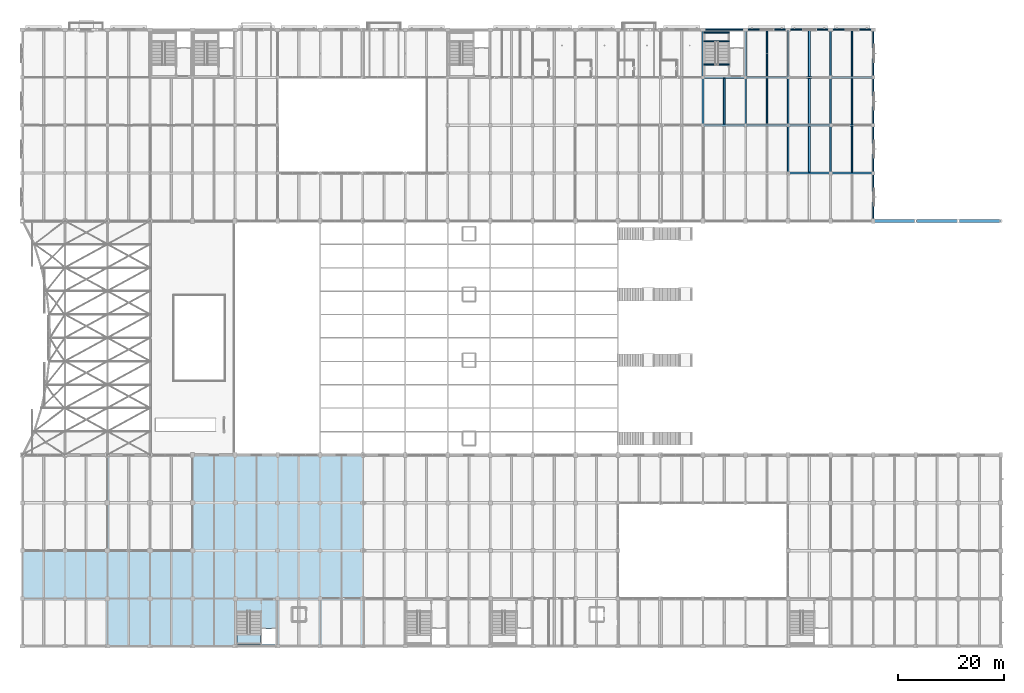
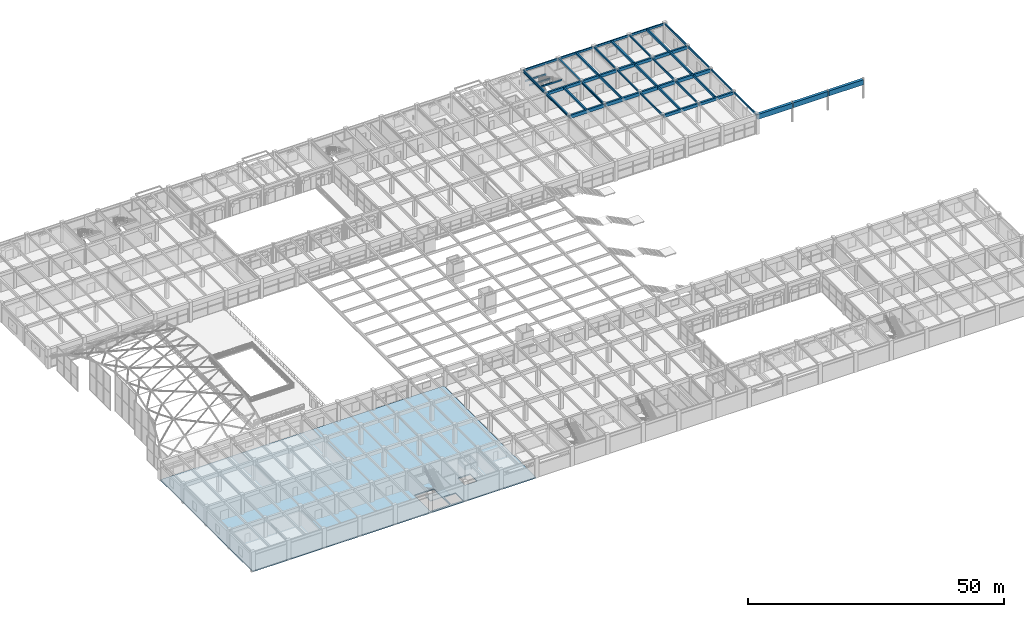
# One storey, part 91 of 144: 43 beams, 2 slabs, 1 element without a shape of its own.
"""IFC4 building model written with IfcOpenShell, lengths in metres."""

from ifc_helpers import new_model, si_unit, direction, frame, origin, origin_2d, place, context, subcontext, project, spatial, polyline, rectangle, i_section, outline, extrude, material, layer, layer_set, material_profile, profile_set, type_object, element, aggregate, save


model = new_model("IFC4")

# Units and contexts
model_context = context("Model", 3, precision=1e-05, world=origin(), true_north=direction((0.0, 1.0)))
body_context = subcontext(model_context, "Body", "Model", "MODEL_VIEW")
ifc_project = project(units=[si_unit("LENGTHUNIT", "METRE"), si_unit("AREAUNIT", "SQUARE_METRE"), si_unit("VOLUMEUNIT", "CUBIC_METRE"), si_unit("PLANEANGLEUNIT", "RADIAN"), si_unit("MASSUNIT", "GRAM", prefix="KILO")], contexts=[model_context])

# Site, building, storey
site_placement = place(None, origin())
site = spatial("IfcSite", under=ifc_project, at=site_placement, CompositionType="ELEMENT")
building_placement = place(site_placement, origin())
building = spatial("IfcBuilding", under=site, at=building_placement, Name="Varnabhumi Central Station", CompositionType="ELEMENT")
storey_placement = place(building_placement, frame((0.0, 0.0, 4.800048828125)))
storey = spatial("IfcBuildingStorey", under=building, at=storey_placement, Name="L01", CompositionType="ELEMENT", Elevation=4.800048828125)

# Beams
ifc_material_1 = material(Name="Concrete M50", Category="concrete")
ifc_material_profile_1 = material_profile(ifc_material_1, rectangle(XDim=0.60009765625, YDim=1.199951171875, at=origin_2d()), Name="Concrete M50", Category="concrete")
ifc_profile_set_1 = profile_set([ifc_material_profile_1], Name="Concrete M50")
beam_type_1 = type_object("IfcBeamType", Name="BM-RC-1200x600", PredefinedType="BEAM", material=ifc_profile_set_1)
for number, where, z_axis, x_axis, name in (
    (1, (160.10009765625, 80.0, 3.949951171875), (1.0, 0.0, 0.0), (0.0, 1.0, 0.0), "Beam L01-K:21-22"),
    (2, (168.10009765625, 80.0, 3.949951171875), (1.0, 0.0, 0.0), (0.0, 1.0, 0.0), "Beam L01-K:22-23"),
    (3, (176.10009765625, 80.0, 3.949951171875), (1.0, 0.0, 0.0), (0.0, 1.0, 0.0), "Beam L01-K:23-24"),
):
    element("IfcBeam", number, at=place(storey_placement, frame(where, z_axis=z_axis, x_axis=x_axis)), inside=storey, type_object=beam_type_1, Name=name, PredefinedType="BEAM", context=body_context, shape_type="SweptSolid", body=[
        extrude(rectangle(XDim=0.60009765625, YDim=1.199951171875, at=origin_2d()), origin(), (0.0, 0.0, 1.0), 7.7998046875),
    ])
ifc_material_2 = material(Name="Concrete M35", Category="concrete")
ifc_material_profile_2 = material_profile(ifc_material_2, rectangle(XDim=0.25, YDim=0.35009765625, at=origin_2d()), Name="Concrete M35", Category="concrete")
ifc_profile_set_2 = profile_set([ifc_material_profile_2], Name="Concrete M35")
beam_type_2 = type_object("IfcBeamType", Name="BM-RC-250x350", PredefinedType="LINTEL", material=ifc_profile_set_2)
for number, where, z_axis, x_axis, name in (
    (4, (128.179931640625, 113.794921875, 2.044921875), (1.0, 0.0, 0.0), (0.0, 1.0, 0.0), "ST-N3 L01 Half Landing Support Beam 1"),
    (5, (128.179931640625, 115.4599609375, 2.044921875), (1.0, 0.0, 0.0), (0.0, 1.0, 0.0), "ST-N3 L01 Half Landing Support Beam 2"),
    (6, (128.179931640625, 109.419921875, 4.375), (1.0, 0.0, 0.0), (0.0, 1.0, 0.0), "ST-N3 L01 Floor Opening Trimmer Beam"),
):
    element("IfcBeam", number, at=place(storey_placement, frame(where, z_axis=z_axis, x_axis=x_axis)), inside=storey, type_object=beam_type_2, Name=name, PredefinedType="LINTEL", context=body_context, shape_type="SweptSolid", body=[
        extrude(rectangle(XDim=0.25, YDim=0.35009765625, at=origin_2d()), origin(), (0.0, 0.0, 1.0), 4.719970703125),
    ])
ifc_material_profile_3 = material_profile(ifc_material_2, rectangle(XDim=0.25, YDim=0.39990234375, at=origin_2d()), Name="Concrete M35", Category="concrete")
ifc_profile_set_3 = profile_set([ifc_material_profile_3], Name="Concrete M35")
beam_type_3 = type_object("IfcBeamType", Name="BM-RC-250x400", PredefinedType="LINTEL", material=ifc_profile_set_3)
for number, where, z_axis, x_axis, name in (
    (7, (160.0, 80.10009765625, 4.349853515625), (0.0, 1.0, 0.0), (-1.0, 0.0, 0.0), "Beam L01-21:K-L"),
    (8, (144.0, 89.10009765625, 4.349853515625), (0.0, 1.0, 0.0), (-1.0, 0.0, 0.0), "Beam L01-19:L-M"),
    (9, (152.0, 89.10009765625, 4.349853515625), (0.0, 1.0, 0.0), (-1.0, 0.0, 0.0), "Beam L01-20:L-M"),
    (10, (160.0, 89.10009765625, 4.349853515625), (0.0, 1.0, 0.0), (-1.0, 0.0, 0.0), "Beam L01-21:L-M"),
    (11, (144.0, 98.10009765625, 4.349853515625), (0.0, 1.0, 0.0), (-1.0, 0.0, 0.0), "Beam L01-19:M-N"),
    (12, (152.0, 98.10009765625, 4.349853515625), (0.0, 1.0, 0.0), (-1.0, 0.0, 0.0), "Beam L01-20:M-N"),
    (13, (160.0, 98.10009765625, 4.349853515625), (0.0, 1.0, 0.0), (-1.0, 0.0, 0.0), "Beam L01-21:M-N"),
    (14, (144.0, 107.10009765625, 4.349853515625), (0.0, 1.0, 0.0), (-1.0, 0.0, 0.0), "Beam L01-19:N-P"),
    (15, (152.0, 107.10009765625, 4.349853515625), (0.0, 1.0, 0.0), (-1.0, 0.0, 0.0), "Beam L01-20:N-P"),
    (16, (160.0, 107.10009765625, 4.349853515625), (0.0, 1.0, 0.0), (-1.0, 0.0, 0.0), "Beam L01-21:N-P"),
):
    element("IfcBeam", number, at=place(storey_placement, frame(where, z_axis=z_axis, x_axis=x_axis)), inside=storey, type_object=beam_type_3, Name=name, PredefinedType="LINTEL", context=body_context, shape_type="SweptSolid", body=[
        extrude(rectangle(XDim=0.25, YDim=0.39990234375, at=origin_2d()), origin(), (0.0, 0.0, 1.0), 8.7998046875),
    ])
ifc_material_3 = material(Name="Concrete M40", Category="concrete")
ifc_material_profile_4 = material_profile(ifc_material_3, rectangle(XDim=0.25, YDim=0.5, at=origin_2d()), Name="Concrete M40", Category="concrete")
ifc_profile_set_4 = profile_set([ifc_material_profile_4], Name="Concrete M40")
beam_type_4 = type_object("IfcBeamType", Name="BM-RC-250x500", PredefinedType="SPANDREL", material=ifc_profile_set_4)
for number, where, z_axis, x_axis, name in (
    (17, (128.10009765625, 116.0, 4.300048828125), (1.0, 0.0, 0.0), (0.0, 1.0, 0.0), "Beam L01-P:17-18"),
    (18, (136.10009765625, 116.0, 4.300048828125), (1.0, 0.0, 0.0), (0.0, 1.0, 0.0), "Beam L01-P:18-19"),
    (19, (144.10009765625, 116.0, 4.300048828125), (1.0, 0.0, 0.0), (0.0, 1.0, 0.0), "Beam L01-P:19-20"),
    (20, (152.10009765625, 116.0, 4.300048828125), (1.0, 0.0, 0.0), (0.0, 1.0, 0.0), "Beam L01-P:20-21"),
):
    element("IfcBeam", number, at=place(storey_placement, frame(where, z_axis=z_axis, x_axis=x_axis)), inside=storey, type_object=beam_type_4, Name=name, PredefinedType="SPANDREL", context=body_context, shape_type="SweptSolid", body=[
        extrude(rectangle(XDim=0.25, YDim=0.5, at=origin_2d()), origin(), (0.0, 0.0, 1.0), 7.7998046875),
    ])
ifc_material_profile_5 = material_profile(ifc_material_3, rectangle(XDim=0.300048828125, YDim=0.5, at=origin_2d()), Name="Concrete M40", Category="concrete")
ifc_profile_set_5 = profile_set([ifc_material_profile_5], Name="Concrete M40")
beam_type_5 = type_object("IfcBeamType", Name="BM-RC-300x500", PredefinedType="JOIST", material=ifc_profile_set_5)
beam_1_placement = place(storey_placement, frame((140.0, 98.199951171875, 4.300048828125), z_axis=(0.0, 1.0, 0.0), x_axis=(-1.0, 0.0, 0.0)))
element("IfcBeam", 21, at=beam_1_placement, inside=storey, type_object=beam_type_5, Name="Secondary Joist L01-18/19:M-N", PredefinedType="JOIST", context=body_context, shape_type="SweptSolid", body=[
    extrude(rectangle(XDim=0.300048828125, YDim=0.5, at=origin_2d()), origin(), (0.0, 0.0, 1.0), 8.60009765625),
])
beam_2_placement = place(storey_placement, frame((140.0, 107.199951171875, 4.300048828125), z_axis=(0.0, 1.0, 0.0), x_axis=(-1.0, 0.0, 0.0)))
element("IfcBeam", 22, at=beam_2_placement, inside=storey, type_object=beam_type_5, Name="Secondary Joist L01-18/19:N-P", PredefinedType="JOIST", context=body_context, shape_type="SweptSolid", body=[
    extrude(rectangle(XDim=0.300048828125, YDim=0.5, at=origin_2d()), origin(), (0.0, 0.0, 1.0), 8.675048828125),
])
ifc_material_profile_6 = material_profile(ifc_material_3, rectangle(XDim=0.300048828125, YDim=0.550048828125, at=origin_2d()), Name="Concrete M40", Category="concrete")
ifc_profile_set_6 = profile_set([ifc_material_profile_6], Name="Concrete M40")
beam_type_6 = type_object("IfcBeamType", Name="BM-RC-300x550", PredefinedType="JOIST", material=ifc_profile_set_6)
for number, where, z_axis, x_axis, name in (
    (23, (156.0, 89.199951171875, 4.27490234375), (0.0, 1.0, 0.0), (-1.0, 0.0, 0.0), "Secondary Joist L01-20/21:L-M"),
    (24, (132.0, 98.199951171875, 4.27490234375), (0.0, 1.0, 0.0), (-1.0, 0.0, 0.0), "Secondary Joist L01-17/18:M-N"),
    (25, (156.0, 98.199951171875, 4.27490234375), (0.0, 1.0, 0.0), (-1.0, 0.0, 0.0), "Secondary Joist L01-20/21:M-N"),
):
    element("IfcBeam", number, at=place(storey_placement, frame(where, z_axis=z_axis, x_axis=x_axis)), inside=storey, type_object=beam_type_6, Name=name, PredefinedType="JOIST", context=body_context, shape_type="SweptSolid", body=[
        extrude(rectangle(XDim=0.300048828125, YDim=0.550048828125, at=origin_2d()), origin(), (0.0, 0.0, 1.0), 8.60009765625),
    ])
beam_3_placement = place(storey_placement, frame((156.0, 107.199951171875, 4.27490234375), z_axis=(0.0, 1.0, 0.0), x_axis=(-1.0, 0.0, 0.0)))
element("IfcBeam", 26, at=beam_3_placement, inside=storey, type_object=beam_type_6, Name="Secondary Joist L01-20/21:N-P", PredefinedType="JOIST", context=body_context, shape_type="SweptSolid", body=[
    extrude(rectangle(XDim=0.300048828125, YDim=0.550048828125, at=origin_2d()), origin(), (0.0, 0.0, 1.0), 8.675048828125),
])
ifc_material_profile_7 = material_profile(ifc_material_3, rectangle(XDim=0.35009765625, YDim=0.5, at=origin_2d()), Name="Concrete M40", Category="concrete")
ifc_profile_set_7 = profile_set([ifc_material_profile_7], Name="Concrete M40")
beam_type_7 = type_object("IfcBeamType", Name="BM-RC-350x500", PredefinedType="JOIST", material=ifc_profile_set_7)
for number, where, z_axis, x_axis, name in (
    (27, (148.0, 89.199951171875, 4.300048828125), (0.0, 1.0, 0.0), (-1.0, 0.0, 0.0), "Secondary Joist L01-19/20:L-M"),
    (28, (148.0, 98.199951171875, 4.300048828125), (0.0, 1.0, 0.0), (-1.0, 0.0, 0.0), "Secondary Joist L01-19/20:M-N"),
):
    element("IfcBeam", number, at=place(storey_placement, frame(where, z_axis=z_axis, x_axis=x_axis)), inside=storey, type_object=beam_type_7, Name=name, PredefinedType="JOIST", context=body_context, shape_type="SweptSolid", body=[
        extrude(rectangle(XDim=0.35009765625, YDim=0.5, at=origin_2d()), origin(), (0.0, 0.0, 1.0), 8.60009765625),
    ])
beam_4_placement = place(storey_placement, frame((148.0, 107.199951171875, 4.300048828125), z_axis=(0.0, 1.0, 0.0), x_axis=(-1.0, 0.0, 0.0)))
element("IfcBeam", 29, at=beam_4_placement, inside=storey, type_object=beam_type_7, Name="Secondary Joist L01-19/20:N-P", PredefinedType="JOIST", context=body_context, shape_type="SweptSolid", body=[
    extrude(rectangle(XDim=0.35009765625, YDim=0.5, at=origin_2d()), origin(), (0.0, 0.0, 1.0), 8.675048828125),
])
ifc_material_profile_8 = material_profile(ifc_material_3, rectangle(XDim=0.39990234375, YDim=0.699951171875, at=origin_2d()), Name="Concrete M40", Category="concrete")
ifc_profile_set_8 = profile_set([ifc_material_profile_8], Name="Concrete M40")
beam_type_8 = type_object("IfcBeamType", Name="BM-RC-400x700", PredefinedType="BEAM", material=ifc_profile_set_8)
for number, where, z_axis, x_axis, name in (
    (30, (128.10009765625, 107.0, 4.199951171875), (1.0, 0.0, 0.0), (0.0, 1.0, 0.0), "Beam L01-N:17-18"),
    (31, (136.10009765625, 107.0, 4.199951171875), (1.0, 0.0, 0.0), (0.0, 1.0, 0.0), "Beam L01-N:18-19"),
    (32, (144.10009765625, 89.0, 4.199951171875), (1.0, 0.0, 0.0), (0.0, 1.0, 0.0), "Beam L01-L:19-20"),
    (33, (144.10009765625, 107.0, 4.199951171875), (1.0, 0.0, 0.0), (0.0, 1.0, 0.0), "Beam L01-N:19-20"),
    (34, (152.10009765625, 89.0, 4.199951171875), (1.0, 0.0, 0.0), (0.0, 1.0, 0.0), "Beam L01-L:20-21"),
    (35, (152.10009765625, 107.0, 4.199951171875), (1.0, 0.0, 0.0), (0.0, 1.0, 0.0), "Beam L01-N:20-21"),
):
    element("IfcBeam", number, at=place(storey_placement, frame(where, z_axis=z_axis, x_axis=x_axis)), inside=storey, type_object=beam_type_8, Name=name, PredefinedType="BEAM", context=body_context, shape_type="SweptSolid", body=[
        extrude(rectangle(XDim=0.39990234375, YDim=0.699951171875, at=origin_2d()), origin(), (0.0, 0.0, 1.0), 7.7998046875),
    ])
ifc_material_profile_9 = material_profile(ifc_material_3, rectangle(XDim=0.39990234375, YDim=0.800048828125, at=origin_2d()), Name="Concrete M40", Category="concrete")
ifc_profile_set_9 = profile_set([ifc_material_profile_9], Name="Concrete M40")
beam_type_9 = type_object("IfcBeamType", Name="BM-RC-400x800", PredefinedType="BEAM", material=ifc_profile_set_9)
for number, where, z_axis, x_axis, name in (
    (36, (128.10009765625, 98.0, 4.14990234375), (1.0, 0.0, 0.0), (0.0, 1.0, 0.0), "Beam L01-M:17-18"),
    (37, (136.10009765625, 98.0, 4.14990234375), (1.0, 0.0, 0.0), (0.0, 1.0, 0.0), "Beam L01-M:18-19"),
    (38, (144.10009765625, 98.0, 4.14990234375), (1.0, 0.0, 0.0), (0.0, 1.0, 0.0), "Beam L01-M:19-20"),
    (39, (152.10009765625, 98.0, 4.14990234375), (1.0, 0.0, 0.0), (0.0, 1.0, 0.0), "Beam L01-M:20-21"),
):
    element("IfcBeam", number, at=place(storey_placement, frame(where, z_axis=z_axis, x_axis=x_axis)), inside=storey, type_object=beam_type_9, Name=name, PredefinedType="BEAM", context=body_context, shape_type="SweptSolid", body=[
        extrude(rectangle(XDim=0.39990234375, YDim=0.800048828125, at=origin_2d()), origin(), (0.0, 0.0, 1.0), 7.7998046875),
    ])
ifc_material_4 = material(Name="Structural steel E350", Category="steel")
ifc_material_profile_10 = material_profile(ifc_material_4, i_section(OverallWidth=0.300048828125, OverallDepth=0.550048828125, WebThickness=0.014892578125, FlangeThickness=0.029052734375, FilletRadius=0.027099609375, at=origin_2d()), Name="Structural steel E350", Category="steel")
ifc_profile_set_10 = profile_set([ifc_material_profile_10], Name="Structural steel E350")
beam_type_10 = type_object("IfcBeamType", Name="BM-STL-WPB550", PredefinedType="BEAM", material=ifc_profile_set_10)
for number, where, z_axis, x_axis, name in (
    (40, (128.0, 98.10009765625, 4.27490234375), (0.0, 1.0, 0.0), (-1.0, 0.0, 0.0), "Beam L01-17:M-N"),
    (41, (136.0, 98.10009765625, 4.27490234375), (0.0, 1.0, 0.0), (-1.0, 0.0, 0.0), "Beam L01-18:M-N"),
    (42, (128.0, 107.10009765625, 4.27490234375), (0.0, 1.0, 0.0), (-1.0, 0.0, 0.0), "Beam L01-17:N-P"),
    (43, (136.0, 107.10009765625, 4.27490234375), (0.0, 1.0, 0.0), (-1.0, 0.0, 0.0), "Beam L01-18:N-P"),
):
    element("IfcBeam", number, at=place(storey_placement, frame(where, z_axis=z_axis, x_axis=x_axis)), inside=storey, type_object=beam_type_10, Name=name, PredefinedType="BEAM", context=body_context, shape_type="SweptSolid", body=[
        extrude(i_section(OverallWidth=0.300048828125, OverallDepth=0.550048828125, WebThickness=0.014892578125, FlangeThickness=0.029052734375, FilletRadius=0.027099609375, at=origin_2d()), origin(), (0.0, 0.0, 1.0), 8.7998046875),
    ])

# Stair, slab
stair_type = type_object("IfcStairType", Name="STR-CORE-4800", PredefinedType="DOUBLE_RETURN_STAIR", material=ifc_material_3)
stair_placement = place(storey_placement, origin())
stair = element("IfcStair", 44, at=stair_placement, inside=storey, type_object=stair_type, Name="Core Stair ST-S1 (L01)", PredefinedType="DOUBLE_RETURN_STAIR")
ifc_layer_1 = layer(ifc_material_3, 0.179931640625, Name="Concrete M40", Category="concrete")
ifc_layer_set_1 = layer_set([ifc_layer_1], Name="Concrete M40")
slab_type_1 = type_object("IfcSlabType", Name="SLB-STAIR-LAND", PredefinedType="LANDING", material=ifc_layer_set_1)
slab_1_placement = place(storey_placement, frame((0.0, 0.0, 2.219970703125)))
slab_1 = element("IfcSlab", 45, at=slab_1_placement, type_object=slab_type_1, Name="ST-S1 L01 Half Landing", PredefinedType="LANDING", context=body_context, shape_type="SweptSolid", body=[
    extrude(outline(polyline([(40.340087890625, 0.360107421875), (44.760009765625, 0.360107421875), (44.760009765625, 2.385009765625), (40.340087890625, 2.385009765625), (40.340087890625, 0.360107421875)])), origin(), (0.0, 0.0, 1.0), 0.179931640625),
])
aggregate(stair, [slab_1])

# Slab
ifc_layer_2 = layer(ifc_material_3, 0.25, Name="Concrete M40", Category="concrete")
ifc_layer_set_2 = layer_set([ifc_layer_2], Name="Concrete M40")
slab_type_2 = type_object("IfcSlabType", Name="SLB-WING-250", PredefinedType="FLOOR", material=ifc_layer_set_2)
slab_2_placement = place(storey_placement, frame((0.0, 0.0, -0.25)))
element("IfcSlab", 46, at=slab_2_placement, inside=storey, type_object=slab_type_2, Name="South Wing L01 Floor Slab Zone 1", PredefinedType="FLOOR", context=body_context, shape_type="SweptSolid", body=[
    extrude(outline(polyline([(0.0, 0.0), (63.93994140625, 0.0), (63.93994140625, 36.0), (0.0, 36.0), (0.0, 0.0)]), holes=[polyline([(40.330078125, 0.35009765625), (44.760009765625, 0.35009765625), (44.760009765625, 6.580078125), (40.330078125, 6.580078125), (40.330078125, 0.35009765625)]), polyline([(45.0400390625, 0.35009765625), (47.669921875, 0.35009765625), (47.669921875, 3.25), (45.0400390625, 3.25), (45.0400390625, 0.35009765625)]), polyline([(50.60009765625, 4.60009765625), (53.39990234375, 4.60009765625), (53.39990234375, 7.39990234375), (50.60009765625, 7.39990234375), (50.60009765625, 4.60009765625)])]), origin(), (0.0, 0.0, 1.0), 0.25),
])

save(model, "model.ifc")
